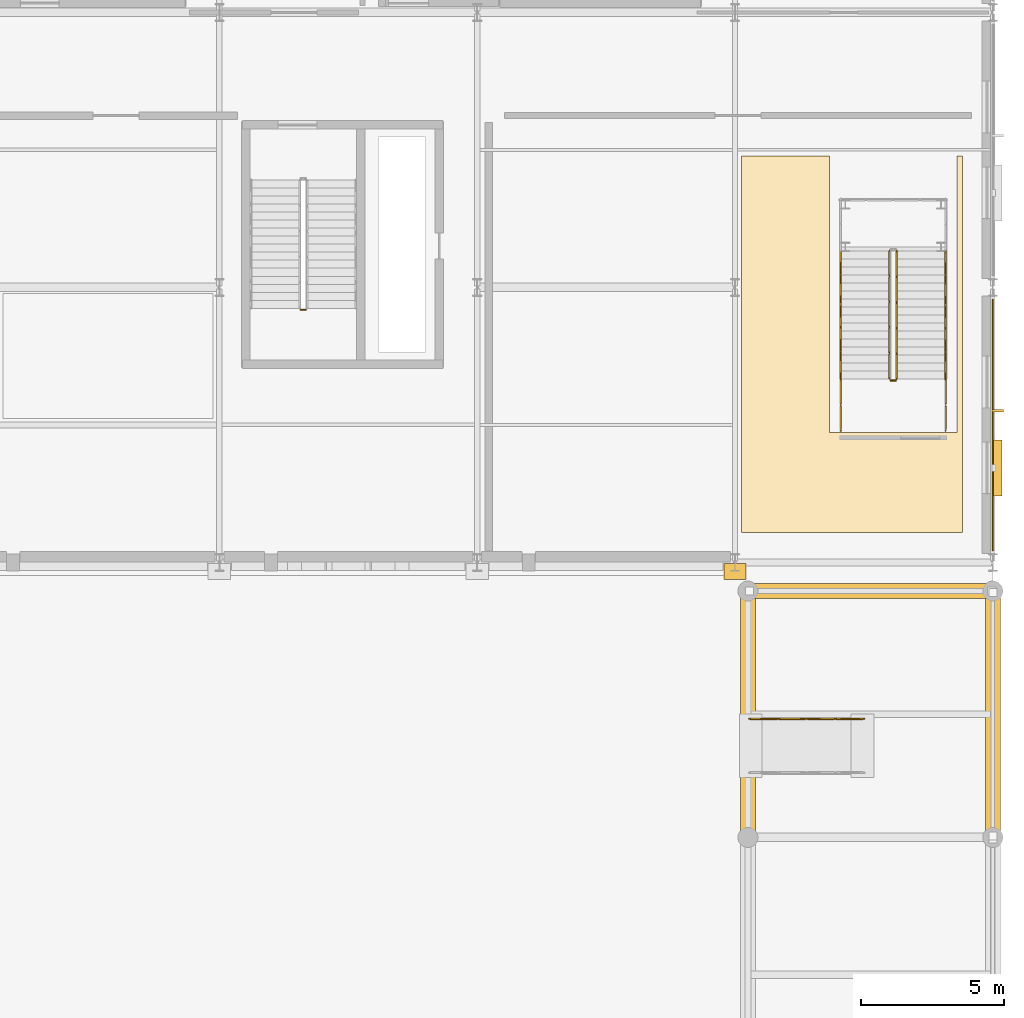
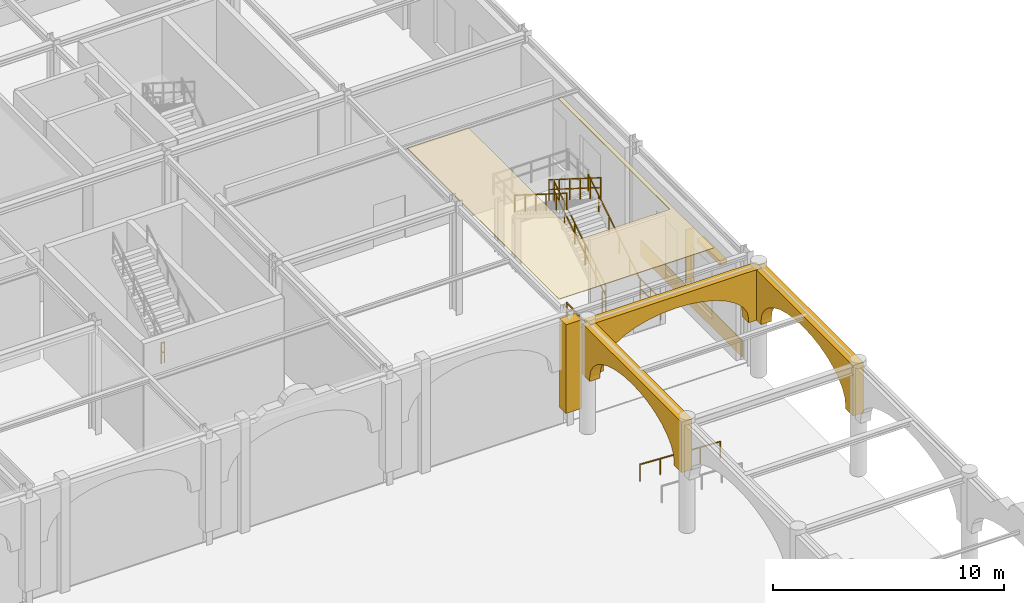
# One storey, part 106 of 113: 9 railings, 6 coverings, 2 shading devices.
"""IFC4 building model written with IfcOpenShell, lengths in metres."""

from ifc_helpers import new_model, si_unit, direction, frame, origin, origin_2d, place, context, subcontext, project, spatial, polyline, rectangle, outline, extrude, material, layer, layer_set, type_object, element, save


model = new_model("IFC4")

# Units and contexts
model_context = context("Model", 3, precision=1e-05, world=origin(), true_north=direction((0.0, 1.0)))
body_context = subcontext(model_context, "Body", "Model", "MODEL_VIEW")
ifc_project = project(units=[si_unit("LENGTHUNIT", "METRE"), si_unit("AREAUNIT", "SQUARE_METRE"), si_unit("VOLUMEUNIT", "CUBIC_METRE"), si_unit("PLANEANGLEUNIT", "RADIAN"), si_unit("MASSUNIT", "GRAM", prefix="KILO")], contexts=[model_context])

# Site, building, storey
site_placement = place(None, origin())
site = spatial("IfcSite", under=ifc_project, at=site_placement, CompositionType="ELEMENT")
building_placement = place(site_placement, origin())
building = spatial("IfcBuilding", under=site, at=building_placement, Name="Myrtia Square Station", CompositionType="ELEMENT")
storey_placement = place(building_placement, origin())
storey = spatial("IfcBuildingStorey", under=building, at=storey_placement, Name="L00", CompositionType="ELEMENT", Elevation=0.0)

# Coverings
ifc_material_1 = material(Name="Pentelic marble ashlar", Category="masonry")
ifc_layer_1 = layer(ifc_material_1, 0.4599609375, Name="Pentelic marble ashlar")
ifc_layer_set_1 = layer_set([ifc_layer_1], Name="Pentelic marble ashlar")
covering_type_1 = type_object("IfcCoveringType", Name="COV-ARCH-ASHLAR", PredefinedType="CLADDING", material=ifc_layer_set_1)
for number, where, z_axis, x_axis, name in (
    (1, (180.449951171875, 76.800048828125, 3.050048828125), (0.0, 0.0, 1.0), (0.0, 1.0, 0.0), "Forecourt square portales arch 009"),
    (2, (189.0, 76.800048828125, 3.050048828125), (0.0, 0.0, 1.0), (0.0, 1.0, 0.0), "Forecourt street portales arch 010"),
):
    element("IfcCovering", number, at=place(storey_placement, frame(where, z_axis=z_axis, x_axis=x_axis)), inside=storey, type_object=covering_type_1, Name=name, PredefinedType="CLADDING", context=body_context, shape_type="SweptSolid", body=[
        extrude(outline(polyline([(0.0, 0.0), (0.64990234375, 0.0), (0.64990234375, 0.199951171875), (0.72021484375, 0.570556640625), (0.927734375, 0.927001953125), (1.26513671875, 1.255615234375), (1.718994140625, 1.54345703125), (2.272216796875, 1.77978515625), (2.903076171875, 1.955322265625), (3.587890625, 2.0634765625), (4.2998046875, 2.099853515625), (5.011962890625, 2.0634765625), (5.69677734375, 1.955322265625), (6.32763671875, 1.77978515625), (6.880859375, 1.54345703125), (7.334716796875, 1.255615234375), (7.672119140625, 0.927001953125), (7.879638671875, 0.570556640625), (7.949951171875, 0.199951171875), (7.949951171875, 0.0), (8.599853515625, 0.0), (8.599853515625, 2.669921875), (0.0, 2.669921875), (0.0, 0.0)])), frame((0.0, 0.260009765625, 0.0), z_axis=(0.0, -1.0, 0.0), x_axis=(1.0, 0.0, 0.0)), (0.0, 0.0, 1.0), 0.52001953125),
    ])
covering_1_placement = place(storey_placement, frame((180.449951171875, 85.39990234375, 3.050048828125), z_axis=(0.0, 0.0, 1.0), x_axis=(1.0, 0.0, 0.0)))
element("IfcCovering", 3, at=covering_1_placement, inside=storey, type_object=covering_type_1, Name="Spanish Colonial Revival portales arch 012", PredefinedType="CLADDING", context=body_context, shape_type="SweptSolid", body=[
    extrude(outline(polyline([(0.0, 0.0), (0.64990234375, 0.0), (0.64990234375, 0.199951171875), (0.7197265625, 0.560791015625), (0.926025390625, 0.907958984375), (1.260986328125, 1.227783203125), (1.711669921875, 1.508056640625), (2.260986328125, 1.73828125), (2.8876953125, 1.9091796875), (3.56787109375, 2.014404296875), (4.27490234375, 2.050048828125), (4.982177734375, 2.014404296875), (5.662353515625, 1.9091796875), (6.2890625, 1.73828125), (6.83837890625, 1.508056640625), (7.2890625, 1.227783203125), (7.6240234375, 0.907958984375), (7.830322265625, 0.560791015625), (7.900146484375, 0.199951171875), (7.900146484375, 0.0), (8.550048828125, 0.0), (8.550048828125, 2.669921875), (0.0, 2.669921875), (0.0, 0.0)])), frame((0.0, 0.260009765625, 0.0), z_axis=(0.0, -1.0, 0.0), x_axis=(1.0, 0.0, 0.0)), (0.0, 0.0, 1.0), 0.52001953125),
])
covering_2_placement = place(storey_placement, frame((180.0, 86.080078125, 0.919921875), z_axis=(0.0, 0.0, 1.0), x_axis=(1.0, 0.0, 0.0)))
element("IfcCovering", 4, at=covering_2_placement, inside=storey, type_object=covering_type_1, Name="Classical Pentelic ashlar pilaster 115", PredefinedType="CLADDING", context=body_context, shape_type="SweptSolid", body=[
    extrude(rectangle(XDim=0.780029296875, YDim=0.56005859375, at=origin_2d()), origin(), (0.0, 0.0, 1.0), 4.679931640625),
])
ifc_material_2 = material(Name="Gypsum plasterboard")
ifc_layer_2 = layer(ifc_material_2, 0.034912109375, Name="Gypsum plasterboard")
ifc_layer_set_2 = layer_set([ifc_layer_2], Name="Gypsum plasterboard")
covering_type_2 = type_object("IfcCoveringType", Name="COV-CEIL-ACOUSTIC", PredefinedType="CEILING", material=ifc_layer_set_2)
covering_3_placement = place(storey_placement, frame((0.0, 0.0, 5.715087890625)))
element("IfcCovering", 5, at=covering_3_placement, inside=storey, type_object=covering_type_2, Name="Acoustic coffer ceiling L00-16", PredefinedType="CEILING", context=body_context, shape_type="SweptSolid", body=[
    extrude(outline(polyline([(187.949951171875, 87.449951171875), (180.219970703125, 87.449951171875), (180.219970703125, 95.949951171875), (180.218994140625, 95.9716796875), (180.2158203125, 95.992919921875), (180.214111328125, 96.0), (180.2158203125, 96.007080078125), (180.218994140625, 96.0283203125), (180.219970703125, 96.050048828125), (180.219970703125, 100.580078125), (183.2900390625, 100.580078125), (183.2900390625, 90.929931640625), (187.75, 90.929931640625), (187.75, 100.580078125), (187.949951171875, 100.580078125), (187.949951171875, 87.449951171875)])), origin(), (0.0, 0.0, 1.0), 0.034912109375),
])
ifc_material_3 = material(Name="Polychrome glazed ceramic tile", Category="masonry")
ifc_layer_3 = layer(ifc_material_3, 0.034912109375, Name="Polychrome glazed ceramic tile")
ifc_layer_set_3 = layer_set([ifc_layer_3], Name="Polychrome glazed ceramic tile")
covering_type_3 = type_object("IfcCoveringType", Name="COV-CLAD-FAIENCE", PredefinedType="CLADDING", material=ifc_layer_set_3)
covering_4_placement = place(storey_placement, frame((188.99755859375, 91.199951171875, 0.0), z_axis=(0.0, 0.0, 1.0), x_axis=(0.0, 1.0, 0.0)))
element("IfcCovering", 6, at=covering_4_placement, inside=storey, type_object=covering_type_3, Name="Spanish Colonial Revival dado cladding 026", PredefinedType="CLADDING", context=body_context, shape_type="SweptSolid", body=[
    extrude(rectangle(XDim=8.7900390625, YDim=0.034912109375, at=origin_2d()), origin(), (0.0, 0.0, 1.0), 0.8798828125),
])

# Railings
ifc_material_4 = material(Name="Dark bronze anodised aluminium", Category="aluminium")
railing_type_1 = type_object("IfcRailingType", Name="RL-HANDRAIL-900", PredefinedType="HANDRAIL", material=ifc_material_4)
railing_1_placement = place(storey_placement, frame((187.35009765625, 92.800048828125, 0.176513671875)))
element("IfcRailing", 7, at=railing_1_placement, inside=storey, type_object=railing_type_1, Name="L00 ST72 stair handrail 1", PredefinedType="HANDRAIL", context=body_context, shape_type="SweptSolid", body=[
    extrude(rectangle(XDim=0.048095703125, YDim=0.048095703125, at=origin_2d()), frame((0.0, 0.029296875, 0.894287109375), z_axis=(0.0, 0.845997938375, 0.533186166611), x_axis=(-1.0, 0.0, 0.0)), (0.0, 0.0, 1.0), 0.98974609375),
    extrude(rectangle(XDim=0.048095703125, YDim=0.048095703125, at=origin_2d()), frame((0.0, 0.92529296875, 1.458984375), z_axis=(0.0, 0.845997938375, 0.533186166611), x_axis=(-1.0, 0.0, 0.0)), (0.0, 0.0, 1.0), 0.98974609375),
    extrude(rectangle(XDim=0.048095703125, YDim=0.048095703125, at=origin_2d()), frame((0.0, 1.8212890625, 2.023681640625), z_axis=(0.0, 0.845997938375, 0.533186166611), x_axis=(-1.0, 0.0, 0.0)), (0.0, 0.0, 1.0), 0.98974609375),
    extrude(rectangle(XDim=0.048095703125, YDim=0.048095703125, at=origin_2d()), frame((0.0, 2.71728515625, 2.58837890625), z_axis=(0.0, 0.845997938375, 0.533186166611), x_axis=(-1.0, 0.0, 0.0)), (0.0, 0.0, 1.0), 0.98974609375),
    extrude(rectangle(XDim=0.048095703125, YDim=0.048095703125, at=origin_2d()), frame((0.0, 3.61328125, 3.153076171875), z_axis=(0.0, 0.845997938375, 0.533186166611), x_axis=(-1.0, 0.0, 0.0)), (0.0, 0.0, 1.0), 0.98974609375),
    extrude(rectangle(XDim=0.0439453125, YDim=0.0439453125, at=origin_2d()), origin(), (0.0, 0.0, 1.0), 0.89990234375),
    extrude(rectangle(XDim=0.0439453125, YDim=0.0439453125, at=origin_2d()), frame((0.0, 0.89599609375, 0.564697265625)), (0.0, 0.0, 1.0), 0.89990234375),
    extrude(rectangle(XDim=0.0439453125, YDim=0.0439453125, at=origin_2d()), frame((0.0, 1.7919921875, 1.12939453125)), (0.0, 0.0, 1.0), 0.89990234375),
    extrude(rectangle(XDim=0.0439453125, YDim=0.0439453125, at=origin_2d()), frame((0.0, 2.68798828125, 1.694091796875)), (0.0, 0.0, 1.0), 0.89990234375),
    extrude(rectangle(XDim=0.0439453125, YDim=0.0439453125, at=origin_2d()), frame((0.0, 3.583984375, 2.2587890625)), (0.0, 0.0, 1.0), 0.89990234375),
    extrude(rectangle(XDim=0.0439453125, YDim=0.0439453125, at=origin_2d()), frame((0.0, 4.47998046875, 2.823486328125)), (0.0, 0.0, 1.0), 0.89990234375),
])
railing_2_placement = place(storey_placement, frame((183.68994140625, 97.280029296875, 3.176513671875)))
element("IfcRailing", 8, at=railing_2_placement, inside=storey, type_object=railing_type_1, Name="L00 ST72 stair handrail 2", PredefinedType="HANDRAIL", context=body_context, shape_type="SweptSolid", body=[
    extrude(rectangle(XDim=0.048095703125, YDim=0.048095703125, at=origin_2d()), frame((0.0, -0.029296875, 0.894287109375), z_axis=(0.0, -0.845997938375, 0.533186166611), x_axis=(1.0, 0.0, 0.0)), (0.0, 0.0, 1.0), 0.98974609375),
    extrude(rectangle(XDim=0.048095703125, YDim=0.048095703125, at=origin_2d()), frame((0.0, -0.92529296875, 1.458984375), z_axis=(0.0, -0.845997938375, 0.533186166611), x_axis=(1.0, 0.0, 0.0)), (0.0, 0.0, 1.0), 0.98974609375),
    extrude(rectangle(XDim=0.048095703125, YDim=0.048095703125, at=origin_2d()), frame((0.0, -1.8212890625, 2.023681640625), z_axis=(0.0, -0.845997938375, 0.533186166611), x_axis=(1.0, 0.0, 0.0)), (0.0, 0.0, 1.0), 0.98974609375),
    extrude(rectangle(XDim=0.048095703125, YDim=0.048095703125, at=origin_2d()), frame((0.0, -2.71728515625, 2.58837890625), z_axis=(0.0, -0.845997938375, 0.533186166611), x_axis=(1.0, 0.0, 0.0)), (0.0, 0.0, 1.0), 0.98974609375),
    extrude(rectangle(XDim=0.048095703125, YDim=0.048095703125, at=origin_2d()), frame((0.0, -3.61328125, 3.153076171875), z_axis=(0.0, -0.845997938375, 0.533186166611), x_axis=(1.0, 0.0, 0.0)), (0.0, 0.0, 1.0), 0.98974609375),
    extrude(rectangle(XDim=0.0439453125, YDim=0.0439453125, at=origin_2d()), origin(), (0.0, 0.0, 1.0), 0.89990234375),
    extrude(rectangle(XDim=0.0439453125, YDim=0.0439453125, at=origin_2d()), frame((0.0, -0.89599609375, 0.564697265625)), (0.0, 0.0, 1.0), 0.89990234375),
    extrude(rectangle(XDim=0.0439453125, YDim=0.0439453125, at=origin_2d()), frame((0.0, -1.7919921875, 1.12939453125)), (0.0, 0.0, 1.0), 0.89990234375),
    extrude(rectangle(XDim=0.0439453125, YDim=0.0439453125, at=origin_2d()), frame((0.0, -2.68798828125, 1.694091796875)), (0.0, 0.0, 1.0), 0.89990234375),
    extrude(rectangle(XDim=0.0439453125, YDim=0.0439453125, at=origin_2d()), frame((0.0, -3.583984375, 2.2587890625)), (0.0, 0.0, 1.0), 0.89990234375),
    extrude(rectangle(XDim=0.0439453125, YDim=0.0439453125, at=origin_2d()), frame((0.0, -4.47998046875, 2.823486328125)), (0.0, 0.0, 1.0), 0.89990234375),
])
railing_3_placement = place(storey_placement, frame((184.5, 80.93994140625, -0.199951171875)))
element("IfcRailing", 9, at=railing_3_placement, inside=storey, type_object=railing_type_1, Name="Accessible ramp handrail RP1-R", PredefinedType="HANDRAIL", context=body_context, shape_type="SweptSolid", body=[
    extrude(rectangle(XDim=0.048095703125, YDim=0.048095703125, at=origin_2d()), frame((-0.03466796875, 0.0, 0.877685546875), z_axis=(-0.998752946874, 0.0, 0.049925455535), x_axis=(0.0, -1.0, 0.0)), (0.0, 0.0, 1.0), 0.931884765625),
    extrude(rectangle(XDim=0.048095703125, YDim=0.048095703125, at=origin_2d()), frame((-1.03466796875, 0.0, 0.927490234375), z_axis=(-0.998752946874, 0.0, 0.049925455535), x_axis=(0.0, -1.0, 0.0)), (0.0, 0.0, 1.0), 0.931884765625),
    extrude(rectangle(XDim=0.048095703125, YDim=0.048095703125, at=origin_2d()), frame((-2.03466796875, 0.0, 0.9775390625), z_axis=(-0.998752946874, 0.0, 0.049925455535), x_axis=(0.0, -1.0, 0.0)), (0.0, 0.0, 1.0), 0.931884765625),
    extrude(rectangle(XDim=0.048095703125, YDim=0.048095703125, at=origin_2d()), frame((-3.03466796875, 0.0, 1.027587890625), z_axis=(-0.998752946874, 0.0, 0.049925455535), x_axis=(0.0, -1.0, 0.0)), (0.0, 0.0, 1.0), 0.931884765625),
    extrude(rectangle(XDim=0.0439453125, YDim=0.0439453125, at=origin_2d()), origin(), (0.0, 0.0, 1.0), 0.89990234375),
    extrude(rectangle(XDim=0.0439453125, YDim=0.0439453125, at=origin_2d()), frame((-1.0, 0.0, 0.050048828125)), (0.0, 0.0, 1.0), 0.89990234375),
    extrude(rectangle(XDim=0.0439453125, YDim=0.0439453125, at=origin_2d()), frame((-2.0, 0.0, 0.10009765625)), (0.0, 0.0, 1.0), 0.89990234375),
    extrude(rectangle(XDim=0.0439453125, YDim=0.0439453125, at=origin_2d()), frame((-3.0, 0.0, 0.14990234375)), (0.0, 0.0, 1.0), 0.89990234375),
    extrude(rectangle(XDim=0.0439453125, YDim=0.0439453125, at=origin_2d()), frame((-4.0, 0.0, 0.199951171875)), (0.0, 0.0, 1.0), 0.89990234375),
])
ifc_material_5 = material(Name="Wrought iron", Category="steel")
railing_type_2 = type_object("IfcRailingType", Name="RL-INT-GUARD-1100", PredefinedType="BALUSTRADE", material=ifc_material_5)
railing_4_placement = place(storey_placement, frame((164.85009765625, 95.219970703125, 3.0)))
element("IfcRailing", 10, at=railing_4_placement, inside=storey, type_object=railing_type_2, Name="L00 ST16 stair guard 2", PredefinedType="BALUSTRADE", context=body_context, shape_type="SweptSolid", body=[
    extrude(rectangle(XDim=0.048095703125, YDim=0.048095703125, at=origin_2d()), frame((0.03466796875, 0.0, 1.09619140625), z_axis=(1.0, 0.0, 0.0), x_axis=(0.0, 1.0, 0.0)), (0.0, 0.0, 1.0), 0.090576171875),
    extrude(rectangle(XDim=0.048095703125, YDim=0.048095703125, at=origin_2d()), frame((0.03466796875, 0.0, 0.58251953125), z_axis=(1.0, 0.0, 0.0), x_axis=(0.0, 1.0, 0.0)), (0.0, 0.0, 1.0), 0.090576171875),
    extrude(rectangle(XDim=0.0439453125, YDim=0.0439453125, at=origin_2d()), origin(), (0.0, 0.0, 1.0), 1.1201171875),
    extrude(rectangle(XDim=0.0439453125, YDim=0.0439453125, at=origin_2d()), frame((0.159912109375, 0.0, 0.0)), (0.0, 0.0, 1.0), 1.1201171875),
])
railing_5_placement = place(storey_placement, frame((185.64990234375, 92.800048828125, 0.176513671875)))
element("IfcRailing", 11, at=railing_5_placement, inside=storey, type_object=railing_type_2, Name="L00 ST72 stair guard 1", PredefinedType="BALUSTRADE", context=body_context, shape_type="SweptSolid", body=[
    extrude(rectangle(XDim=0.048095703125, YDim=0.048095703125, at=origin_2d()), frame((0.0, 0.029296875, 1.114501953125), z_axis=(0.0, 0.845997938375, 0.533186166611), x_axis=(-1.0, 0.0, 0.0)), (0.0, 0.0, 1.0), 0.98974609375),
    extrude(rectangle(XDim=0.048095703125, YDim=0.048095703125, at=origin_2d()), frame((0.0, 0.029296875, 0.600830078125), z_axis=(0.0, 0.845997938375, 0.533186166611), x_axis=(-1.0, 0.0, 0.0)), (0.0, 0.0, 1.0), 0.98974609375),
    extrude(rectangle(XDim=0.048095703125, YDim=0.048095703125, at=origin_2d()), frame((0.0, 0.92529296875, 1.67919921875), z_axis=(0.0, 0.845997938375, 0.533186166611), x_axis=(-1.0, 0.0, 0.0)), (0.0, 0.0, 1.0), 0.98974609375),
    extrude(rectangle(XDim=0.048095703125, YDim=0.048095703125, at=origin_2d()), frame((0.0, 0.92529296875, 1.16552734375), z_axis=(0.0, 0.845997938375, 0.533186166611), x_axis=(-1.0, 0.0, 0.0)), (0.0, 0.0, 1.0), 0.98974609375),
    extrude(rectangle(XDim=0.048095703125, YDim=0.048095703125, at=origin_2d()), frame((0.0, 1.8212890625, 2.243896484375), z_axis=(0.0, 0.845997938375, 0.533186166611), x_axis=(-1.0, 0.0, 0.0)), (0.0, 0.0, 1.0), 0.98974609375),
    extrude(rectangle(XDim=0.048095703125, YDim=0.048095703125, at=origin_2d()), frame((0.0, 1.8212890625, 1.730224609375), z_axis=(0.0, 0.845997938375, 0.533186166611), x_axis=(-1.0, 0.0, 0.0)), (0.0, 0.0, 1.0), 0.98974609375),
    extrude(rectangle(XDim=0.048095703125, YDim=0.048095703125, at=origin_2d()), frame((0.0, 2.71728515625, 2.80859375), z_axis=(0.0, 0.845997938375, 0.533186166611), x_axis=(-1.0, 0.0, 0.0)), (0.0, 0.0, 1.0), 0.98974609375),
    extrude(rectangle(XDim=0.048095703125, YDim=0.048095703125, at=origin_2d()), frame((0.0, 2.71728515625, 2.294921875), z_axis=(0.0, 0.845997938375, 0.533186166611), x_axis=(-1.0, 0.0, 0.0)), (0.0, 0.0, 1.0), 0.98974609375),
    extrude(rectangle(XDim=0.048095703125, YDim=0.048095703125, at=origin_2d()), frame((0.0, 3.61328125, 3.373291015625), z_axis=(0.0, 0.845997938375, 0.533186166611), x_axis=(-1.0, 0.0, 0.0)), (0.0, 0.0, 1.0), 0.98974609375),
    extrude(rectangle(XDim=0.048095703125, YDim=0.048095703125, at=origin_2d()), frame((0.0, 3.61328125, 2.859619140625), z_axis=(0.0, 0.845997938375, 0.533186166611), x_axis=(-1.0, 0.0, 0.0)), (0.0, 0.0, 1.0), 0.98974609375),
    extrude(rectangle(XDim=0.0439453125, YDim=0.0439453125, at=origin_2d()), origin(), (0.0, 0.0, 1.0), 1.1201171875),
    extrude(rectangle(XDim=0.0439453125, YDim=0.0439453125, at=origin_2d()), frame((0.0, 0.89599609375, 0.564697265625)), (0.0, 0.0, 1.0), 1.1201171875),
    extrude(rectangle(XDim=0.0439453125, YDim=0.0439453125, at=origin_2d()), frame((0.0, 1.7919921875, 1.12939453125)), (0.0, 0.0, 1.0), 1.1201171875),
    extrude(rectangle(XDim=0.0439453125, YDim=0.0439453125, at=origin_2d()), frame((0.0, 2.68798828125, 1.694091796875)), (0.0, 0.0, 1.0), 1.1201171875),
    extrude(rectangle(XDim=0.0439453125, YDim=0.0439453125, at=origin_2d()), frame((0.0, 3.583984375, 2.2587890625)), (0.0, 0.0, 1.0), 1.1201171875),
    extrude(rectangle(XDim=0.0439453125, YDim=0.0439453125, at=origin_2d()), frame((0.0, 4.47998046875, 2.823486328125)), (0.0, 0.0, 1.0), 1.1201171875),
])
railing_6_placement = place(storey_placement, frame((185.389892578125, 97.280029296875, 3.176513671875)))
element("IfcRailing", 12, at=railing_6_placement, inside=storey, type_object=railing_type_2, Name="L00 ST72 stair guard 6", PredefinedType="BALUSTRADE", context=body_context, shape_type="SweptSolid", body=[
    extrude(rectangle(XDim=0.048095703125, YDim=0.048095703125, at=origin_2d()), frame((0.0, -0.029296875, 1.114501953125), z_axis=(0.0, -0.845997938375, 0.533186166611), x_axis=(1.0, 0.0, 0.0)), (0.0, 0.0, 1.0), 0.98974609375),
    extrude(rectangle(XDim=0.048095703125, YDim=0.048095703125, at=origin_2d()), frame((0.0, -0.029296875, 0.600830078125), z_axis=(0.0, -0.845997938375, 0.533186166611), x_axis=(1.0, 0.0, 0.0)), (0.0, 0.0, 1.0), 0.98974609375),
    extrude(rectangle(XDim=0.048095703125, YDim=0.048095703125, at=origin_2d()), frame((0.0, -0.92529296875, 1.67919921875), z_axis=(0.0, -0.845997938375, 0.533186166611), x_axis=(1.0, 0.0, 0.0)), (0.0, 0.0, 1.0), 0.98974609375),
    extrude(rectangle(XDim=0.048095703125, YDim=0.048095703125, at=origin_2d()), frame((0.0, -0.92529296875, 1.16552734375), z_axis=(0.0, -0.845997938375, 0.533186166611), x_axis=(1.0, 0.0, 0.0)), (0.0, 0.0, 1.0), 0.98974609375),
    extrude(rectangle(XDim=0.048095703125, YDim=0.048095703125, at=origin_2d()), frame((0.0, -1.8212890625, 2.243896484375), z_axis=(0.0, -0.845997938375, 0.533186166611), x_axis=(1.0, 0.0, 0.0)), (0.0, 0.0, 1.0), 0.98974609375),
    extrude(rectangle(XDim=0.048095703125, YDim=0.048095703125, at=origin_2d()), frame((0.0, -1.8212890625, 1.730224609375), z_axis=(0.0, -0.845997938375, 0.533186166611), x_axis=(1.0, 0.0, 0.0)), (0.0, 0.0, 1.0), 0.98974609375),
    extrude(rectangle(XDim=0.048095703125, YDim=0.048095703125, at=origin_2d()), frame((0.0, -2.71728515625, 2.80859375), z_axis=(0.0, -0.845997938375, 0.533186166611), x_axis=(1.0, 0.0, 0.0)), (0.0, 0.0, 1.0), 0.98974609375),
    extrude(rectangle(XDim=0.048095703125, YDim=0.048095703125, at=origin_2d()), frame((0.0, -2.71728515625, 2.294921875), z_axis=(0.0, -0.845997938375, 0.533186166611), x_axis=(1.0, 0.0, 0.0)), (0.0, 0.0, 1.0), 0.98974609375),
    extrude(rectangle(XDim=0.048095703125, YDim=0.048095703125, at=origin_2d()), frame((0.0, -3.61328125, 3.373291015625), z_axis=(0.0, -0.845997938375, 0.533186166611), x_axis=(1.0, 0.0, 0.0)), (0.0, 0.0, 1.0), 0.98974609375),
    extrude(rectangle(XDim=0.048095703125, YDim=0.048095703125, at=origin_2d()), frame((0.0, -3.61328125, 2.859619140625), z_axis=(0.0, -0.845997938375, 0.533186166611), x_axis=(1.0, 0.0, 0.0)), (0.0, 0.0, 1.0), 0.98974609375),
    extrude(rectangle(XDim=0.0439453125, YDim=0.0439453125, at=origin_2d()), origin(), (0.0, 0.0, 1.0), 1.1201171875),
    extrude(rectangle(XDim=0.0439453125, YDim=0.0439453125, at=origin_2d()), frame((0.0, -0.89599609375, 0.564697265625)), (0.0, 0.0, 1.0), 1.1201171875),
    extrude(rectangle(XDim=0.0439453125, YDim=0.0439453125, at=origin_2d()), frame((0.0, -1.7919921875, 1.12939453125)), (0.0, 0.0, 1.0), 1.1201171875),
    extrude(rectangle(XDim=0.0439453125, YDim=0.0439453125, at=origin_2d()), frame((0.0, -2.68798828125, 1.694091796875)), (0.0, 0.0, 1.0), 1.1201171875),
    extrude(rectangle(XDim=0.0439453125, YDim=0.0439453125, at=origin_2d()), frame((0.0, -3.583984375, 2.2587890625)), (0.0, 0.0, 1.0), 1.1201171875),
    extrude(rectangle(XDim=0.0439453125, YDim=0.0439453125, at=origin_2d()), frame((0.0, -4.47998046875, 2.823486328125)), (0.0, 0.0, 1.0), 1.1201171875),
])
railing_7_placement = place(storey_placement, frame((185.60009765625, 92.75, 0.0)))
element("IfcRailing", 13, at=railing_7_placement, inside=storey, type_object=railing_type_2, Name="L00 ST72 stair guard 7", PredefinedType="BALUSTRADE", context=body_context, shape_type="SweptSolid", body=[
    extrude(rectangle(XDim=0.048095703125, YDim=0.048095703125, at=origin_2d()), frame((-0.03466796875, 0.0, 1.09619140625), z_axis=(-1.0, 0.0, 0.0), x_axis=(0.0, -1.0, 0.0)), (0.0, 0.0, 1.0), 0.0908203125),
    extrude(rectangle(XDim=0.048095703125, YDim=0.048095703125, at=origin_2d()), frame((-0.03466796875, 0.0, 0.58251953125), z_axis=(-1.0, 0.0, 0.0), x_axis=(0.0, -1.0, 0.0)), (0.0, 0.0, 1.0), 0.0908203125),
    extrude(rectangle(XDim=0.0439453125, YDim=0.0439453125, at=origin_2d()), origin(), (0.0, 0.0, 1.0), 1.1201171875),
    extrude(rectangle(XDim=0.0439453125, YDim=0.0439453125, at=origin_2d()), frame((-0.16015625, 0.0, 0.0)), (0.0, 0.0, 1.0), 1.1201171875),
])
for number, where, name in (
    (14, (187.35009765625, 91.0, 0.0), "L00 ST72 stair guard 8"),
    (15, (183.68994140625, 91.0, 0.0), "L00 ST72 stair guard 9"),
):
    element("IfcRailing", number, at=place(storey_placement, frame(where)), inside=storey, type_object=railing_type_2, Name=name, PredefinedType="BALUSTRADE", context=body_context, shape_type="SweptSolid", body=[
        extrude(rectangle(XDim=0.048095703125, YDim=0.048095703125, at=origin_2d()), frame((0.0, 0.03466796875, 1.09619140625), z_axis=(0.0, 1.0, 0.0), x_axis=(-1.0, 0.0, 0.0)), (0.0, 0.0, 1.0), 0.830810546875),
        extrude(rectangle(XDim=0.048095703125, YDim=0.048095703125, at=origin_2d()), frame((0.0, 0.03466796875, 0.58251953125), z_axis=(0.0, 1.0, 0.0), x_axis=(-1.0, 0.0, 0.0)), (0.0, 0.0, 1.0), 0.830810546875),
        extrude(rectangle(XDim=0.048095703125, YDim=0.048095703125, at=origin_2d()), frame((0.0, 0.9345703125, 1.09619140625), z_axis=(0.0, 1.0, 0.0), x_axis=(-1.0, 0.0, 0.0)), (0.0, 0.0, 1.0), 0.830810546875),
        extrude(rectangle(XDim=0.048095703125, YDim=0.048095703125, at=origin_2d()), frame((0.0, 0.9345703125, 0.58251953125), z_axis=(0.0, 1.0, 0.0), x_axis=(-1.0, 0.0, 0.0)), (0.0, 0.0, 1.0), 0.830810546875),
        extrude(rectangle(XDim=0.0439453125, YDim=0.0439453125, at=origin_2d()), origin(), (0.0, 0.0, 1.0), 1.1201171875),
        extrude(rectangle(XDim=0.0439453125, YDim=0.0439453125, at=origin_2d()), frame((0.0, 0.89990234375, 0.0)), (0.0, 0.0, 1.0), 1.1201171875),
        extrude(rectangle(XDim=0.0439453125, YDim=0.0439453125, at=origin_2d()), frame((0.0, 1.800048828125, 0.0)), (0.0, 0.0, 1.0), 1.1201171875),
    ])

# Shading devices
shading_device_type_1 = type_object("IfcShadingDeviceType", Name="SHD-FIN-BRONZE", PredefinedType="USERDEFINED", material=ifc_material_4)
shading_device_1_placement = place(storey_placement, frame((189.169921875, 91.697998046875, 0.9501953125), z_axis=(0.0, 0.0, 1.0), x_axis=(0.0, 1.0, 0.0)))
element("IfcShadingDevice", 16, at=shading_device_1_placement, inside=storey, type_object=shading_device_type_1, Name="Vertical bronze solar fin SHF-039", ObjectType="FIN", PredefinedType="USERDEFINED", context=body_context, shape_type="SweptSolid", body=[
    extrude(rectangle(XDim=0.080078125, YDim=0.389892578125, at=origin_2d()), origin(), (0.0, 0.0, 1.0), 2.800048828125),
])
shading_device_type_2 = type_object("IfcShadingDeviceType", Name="SHD-JALOUSIE-BRONZE", PredefinedType="JALOUSIE", material=ifc_material_4)
shading_device_2_placement = place(storey_placement, frame((189.14990234375, 89.701904296875, 3.68994140625), z_axis=(0.0, 0.0, 1.0), x_axis=(0.0, 1.0, 0.0)))
element("IfcShadingDevice", 17, at=shading_device_2_placement, inside=storey, type_object=shading_device_type_2, Name="Mediterranean bronze solar louvre SHL-039", PredefinedType="JALOUSIE", context=body_context, shape_type="SweptSolid", body=[
    extrude(rectangle(XDim=1.9599609375, YDim=0.35009765625, at=origin_2d()), origin(), (0.0, 0.0, 1.0), 0.219970703125),
])

save(model, "model.ifc")
